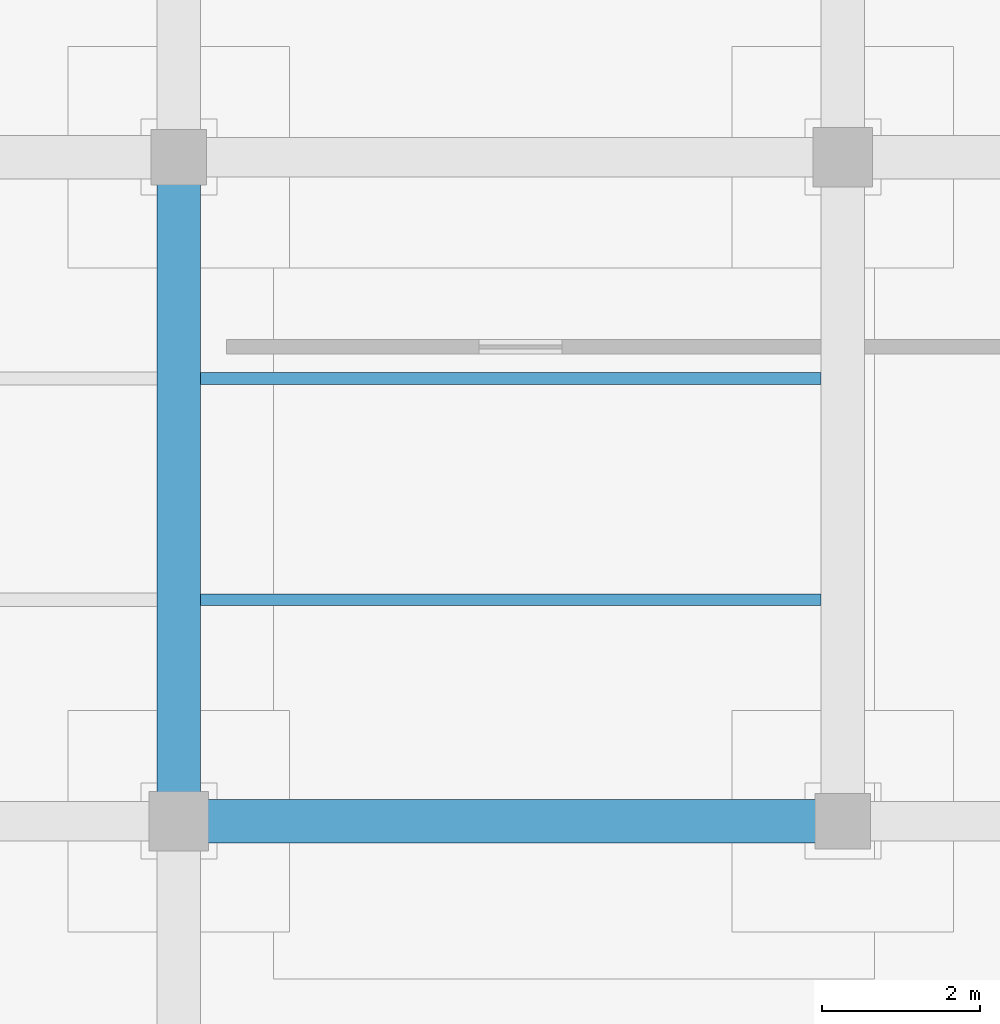
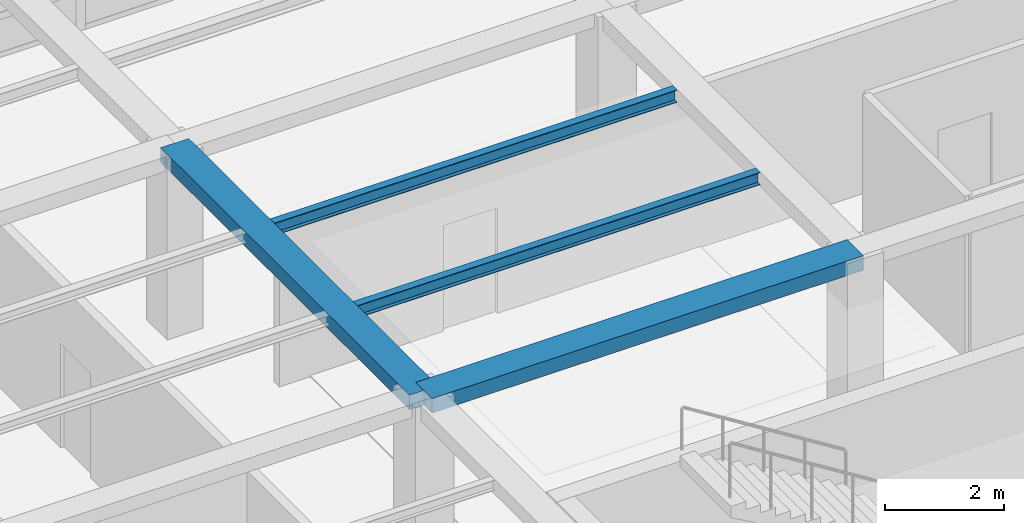
# One storey, part 7 of 26: 4 beams.
"""IFC4 building model written with IfcOpenShell, lengths in metres."""

from ifc_helpers import new_model, si_unit, direction, frame, origin, origin_2d, place, context, subcontext, project, spatial, rectangle, i_section, extrude, material, material_profile, profile_set, type_object, element, save


model = new_model("IFC4")

# Units and contexts
model_context = context("Model", 3, precision=1e-05, world=origin(), true_north=direction((0.0, 1.0)))
body_context = subcontext(model_context, "Body", "Model", "MODEL_VIEW")
ifc_project = project(units=[si_unit("LENGTHUNIT", "METRE"), si_unit("AREAUNIT", "SQUARE_METRE"), si_unit("VOLUMEUNIT", "CUBIC_METRE"), si_unit("PLANEANGLEUNIT", "RADIAN"), si_unit("MASSUNIT", "GRAM", prefix="KILO")], contexts=[model_context])

# Site, building, storey
site_placement = place(None, origin())
site = spatial("IfcSite", under=ifc_project, at=site_placement, CompositionType="ELEMENT")
building_placement = place(site_placement, origin())
building = spatial("IfcBuilding", under=site, at=building_placement, Name="Almacenes y Pasaje Nevantli", CompositionType="ELEMENT")
storey_placement = place(building_placement, frame((0.0, 0.0, 30.699951171875)))
storey = spatial("IfcBuildingStorey", under=building, at=storey_placement, Name="L07", CompositionType="ELEMENT", Elevation=30.699951171875)

# Beams
ifc_material_1 = material(Name="Concrete C35/45", Category="concrete")
ifc_material_profile_1 = material_profile(ifc_material_1, rectangle(XDim=0.550048828125, YDim=0.300048828125, at=origin_2d()), Name="RC-BM-550x300")
ifc_profile_set_1 = profile_set([ifc_material_profile_1], Name="Concrete C35/45")
beam_type_1 = type_object("IfcBeamType", Name="BM-RC-550x300", PredefinedType="BEAM", material=ifc_profile_set_1)
for number, where, z_axis, x_axis, name in (
    (1, (117.60009765625, 84.0, 3.570068359375), (1.0, 0.0, 0.0), (0.0, 1.0, 0.0), "L07 East-West Reinforced Concrete Beam #3642"),
    (2, (117.60009765625, 84.0, 3.570068359375), (0.0, 1.0, 0.0), (-1.0, 0.0, 0.0), "L07 North-South Reinforced Concrete Beam #3665"),
):
    element("IfcBeam", number, at=place(storey_placement, frame(where, z_axis=z_axis, x_axis=x_axis)), inside=storey, type_object=beam_type_1, Name=name, PredefinedType="BEAM", context=body_context, shape_type="SweptSolid", body=[
        extrude(rectangle(XDim=0.550048828125, YDim=0.300048828125, at=origin_2d()), origin(), (0.0, 0.0, 1.0), 8.39990234375),
    ])
ifc_material_2 = material(Name="Steel ASTM A992", Category="steel")
ifc_material_profile_2 = material_profile(ifc_material_2, i_section(OverallWidth=0.14697265625, OverallDepth=0.257080078125, WebThickness=0.006591796875, FlangeThickness=0.01123046875, at=origin_2d()), Name="IR 254x38.7")
ifc_profile_set_2 = profile_set([ifc_material_profile_2], Name="Steel ASTM A992")
beam_type_2 = type_object("IfcBeamType", Name="BM-STL-IR-254x38p7", PredefinedType="JOIST", material=ifc_profile_set_2)
for number, where, z_axis, x_axis, name in (
    (3, (117.875, 86.800048828125, 3.58349609375), (1.0, 0.0, 0.0), (0.0, 1.0, 0.0), "L07 Secondary Steel Floor Joist #1395"),
    (4, (117.875, 89.60009765625, 3.58349609375), (1.0, 0.0, 0.0), (0.0, 1.0, 0.0), "L07 Secondary Steel Floor Joist #1396"),
):
    element("IfcBeam", number, at=place(storey_placement, frame(where, z_axis=z_axis, x_axis=x_axis)), inside=storey, type_object=beam_type_2, Name=name, PredefinedType="JOIST", context=body_context, shape_type="SweptSolid", body=[
        extrude(i_section(OverallWidth=0.14697265625, OverallDepth=0.257080078125, WebThickness=0.006591796875, FlangeThickness=0.01123046875, at=origin_2d()), origin(), (0.0, 0.0, 1.0), 7.85009765625),
    ])

save(model, "model.ifc")
